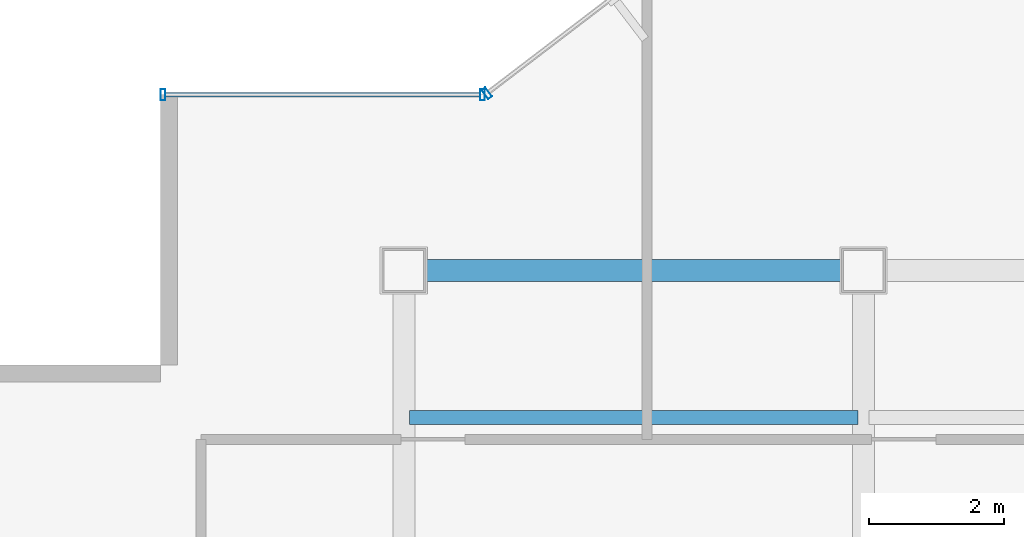
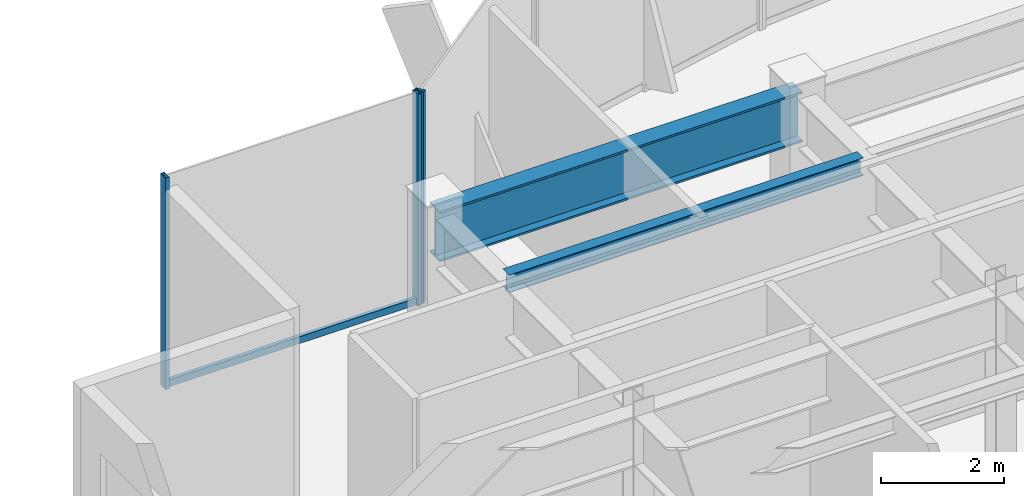
# One storey, part 9 of 26: 4 members, 2 beams, 2 elements without a shape of their own.
"""IFC4 building model written with IfcOpenShell, lengths in metres."""

from ifc_helpers import new_model, si_unit, derived_unit, direction, frame, origin, origin_2d, place, context, subcontext, project, spatial, hollow_rectangle, i_section, extrude, source, transform, mapped, material, material_profile, profile_set, type_object, element, aggregate, save


model = new_model("IFC4")

# Units and contexts
model_context = context("Model", 3, precision=1e-05, world=origin(), true_north=direction((0.0, 1.0)))
body_context = subcontext(model_context, "Body", "Model", "MODEL_VIEW")
ifc_project = project(units=[si_unit("LENGTHUNIT", "METRE"), si_unit("AREAUNIT", "SQUARE_METRE"), si_unit("VOLUMEUNIT", "CUBIC_METRE"), si_unit("PLANEANGLEUNIT", "RADIAN"), si_unit("MASSUNIT", "GRAM", prefix="KILO"), derived_unit("THERMALTRANSMITTANCEUNIT", [(si_unit("POWERUNIT", "WATT"), 1), (si_unit("LENGTHUNIT", "METRE"), -2), (si_unit("THERMODYNAMICTEMPERATUREUNIT", "KELVIN"), -1)])], contexts=[model_context])

# Site, building, storey
site_placement = place(None, origin())
site = spatial("IfcSite", under=ifc_project, at=site_placement, CompositionType="ELEMENT")
building_placement = place(site_placement, origin())
building = spatial("IfcBuilding", under=site, at=building_placement, Name="Skarnbrae Concourse Arena and Tower", CompositionType="ELEMENT")
storey_placement = place(building_placement, frame((0.0, 0.0, 184.39990234375)))
storey = spatial("IfcBuildingStorey", under=building, at=storey_placement, Name="L47", CompositionType="ELEMENT", Elevation=184.39990234375)

# Beams
ifc_material_1 = material(Name="Steel CSA G40.21 350W", Category="steel")
ifc_material_profile_1 = material_profile(ifc_material_1, i_section(OverallWidth=0.327880859375, OverallDepth=1.0, WebThickness=0.02099609375, FlangeThickness=0.03759765625, at=origin_2d()), Name="W1000X371")
ifc_profile_set_1 = profile_set([ifc_material_profile_1], Name="Steel CSA G40.21 350W")
beam_type_1 = type_object("IfcBeamType", Name="BM-XFER-W1000X371", PredefinedType="BEAM", material=ifc_profile_set_1)
shared_shape_1 = source(origin(), body_context, "Body", "SweptSolid", [
    extrude(i_section(OverallWidth=0.327880859375, OverallDepth=1.0, WebThickness=0.02099609375, FlangeThickness=0.03759765625, at=origin_2d()), origin(), (0.0, 0.0, 1.0), 6.7998046875),
])
beam_1_placement = place(storey_placement, frame((7.60009765625, 34.39990234375, 3.400146484375), z_axis=(1.0, 0.0, 0.0), x_axis=(0.0, 1.0, 0.0)))
element("IfcBeam", 1, at=beam_1_placement, inside=storey, type_object=beam_type_1, Name="L47 Perimeter spandrel Y34.4-1", PredefinedType="BEAM", context=body_context, shape_type="MappedRepresentation", body=[
    mapped(shared_shape_1, transform((0.0, 0.0, 0.0))),
])
ifc_material_profile_2 = material_profile(ifc_material_1, i_section(OverallWidth=0.205078125, OverallDepth=0.35400390625, WebThickness=0.009521484375, FlangeThickness=0.016845703125, at=origin_2d()), Name="W360X79")
ifc_profile_set_2 = profile_set([ifc_material_profile_2], Name="Steel CSA G40.21 350W")
beam_type_2 = type_object("IfcBeamType", Name="BM-JOIST-W360X79", PredefinedType="JOIST", material=ifc_profile_set_2)
shared_shape_2 = source(origin(), body_context, "Body", "SweptSolid", [
    extrude(i_section(OverallWidth=0.205078125, OverallDepth=0.35400390625, WebThickness=0.009521484375, FlangeThickness=0.016845703125, at=origin_2d()), origin(), (0.0, 0.0, 1.0), 6.64013671875),
])
beam_2_placement = place(storey_placement, frame((7.679931640625, 32.221923828125, 3.72314453125), z_axis=(1.0, 0.0, 0.0), x_axis=(0.0, 1.0, 0.0)))
element("IfcBeam", 2, at=beam_2_placement, inside=storey, type_object=beam_type_2, Name="L47 Secondary floor joist 3.2.1", PredefinedType="JOIST", context=body_context, shape_type="MappedRepresentation", body=[
    mapped(shared_shape_2, transform((0.0, 0.0, 0.0))),
])

# Curtain wall, member
ifc_material_2 = material(Name="Bronze anodised aluminium 6063-T6", Category="aluminium")
curtain_wall_type = type_object("IfcCurtainWallType", Name="CW-SYS-06-SKYLOBBY", PredefinedType="USERDEFINED", material=ifc_material_2)
curtain_wall_1_placement = place(storey_placement, origin())
curtain_wall_1 = element("IfcCurtainWall", 3, at=curtain_wall_1_placement, inside=storey, type_object=curtain_wall_type, Name="L47 Unitised curtain wall CW-L47-E14", ObjectType="UNITISED CURTAIN WALL", PredefinedType="USERDEFINED")
ifc_material_profile_3 = material_profile(ifc_material_2, hollow_rectangle(XDim=0.070068359375, YDim=0.1650390625, WallThickness=0.00390625, at=origin_2d()), Name="ALU-MULL-70X165")
ifc_profile_set_3 = profile_set([ifc_material_profile_3], Name="Bronze anodised aluminium 6063-T6")
member_type_1 = type_object("IfcMemberType", Name="CWM-CW-06", PredefinedType="MULLION", material=ifc_profile_set_3)
shared_shape_3 = source(origin(), body_context, "Body", "SweptSolid", [
    extrude(hollow_rectangle(XDim=0.070068359375, YDim=0.1650390625, WallThickness=0.00390625, at=origin_2d()), origin(), (0.0, 0.0, 1.0), 4.2001953125),
])
member_1_placement = place(storey_placement, frame((8.827880859375, 37.021240234375, 0.0), z_axis=(0.0, 0.0, 1.0), x_axis=(-0.794956000706, -0.606667089054, 0.0)))
member_1 = element("IfcMember", 4, at=member_1_placement, type_object=member_type_1, Name="CW-L47-E14 Mullion 2", PredefinedType="MULLION", context=body_context, shape_type="MappedRepresentation", body=[
    mapped(shared_shape_3, transform((0.0, 0.0, 0.0))),
])
aggregate(curtain_wall_1, [member_1])

# Curtain wall, members
curtain_wall_2_placement = place(storey_placement, origin())
curtain_wall_2 = element("IfcCurtainWall", 5, at=curtain_wall_2_placement, inside=storey, type_object=curtain_wall_type, Name="L47 Unitised curtain wall CW-L47-E15", ObjectType="UNITISED CURTAIN WALL", PredefinedType="USERDEFINED")
member_2_placement = place(storey_placement, frame((8.764892578125, 37.0, 0.0), z_axis=(0.0, 0.0, 1.0), x_axis=(-1.0, 0.0, 0.0)))
member_2 = element("IfcMember", 6, at=member_2_placement, type_object=member_type_1, Name="CW-L47-E15 Mullion 1", PredefinedType="MULLION", context=body_context, shape_type="MappedRepresentation", body=[
    mapped(shared_shape_3, transform((0.0, 0.0, 0.0))),
])
member_3_placement = place(storey_placement, frame((4.034912109375, 37.0, 0.0), z_axis=(0.0, 0.0, 1.0), x_axis=(-1.0, 0.0, 0.0)))
member_3 = element("IfcMember", 7, at=member_3_placement, type_object=member_type_1, Name="CW-L47-E15 Mullion 2", PredefinedType="MULLION", context=body_context, shape_type="MappedRepresentation", body=[
    mapped(shared_shape_3, transform((0.0, 0.0, 0.0))),
])
ifc_material_profile_4 = material_profile(ifc_material_2, hollow_rectangle(XDim=0.070068359375, YDim=0.135009765625, WallThickness=0.00390625, at=origin_2d()), Name="ALU-TRAN-70X135")
ifc_profile_set_4 = profile_set([ifc_material_profile_4], Name="Bronze anodised aluminium 6063-T6")
member_type_2 = type_object("IfcMemberType", Name="CWT-CW-06", PredefinedType="USERDEFINED", material=ifc_profile_set_4)
shared_shape_4 = source(origin(), body_context, "Body", "SweptSolid", [
    extrude(hollow_rectangle(XDim=0.070068359375, YDim=0.135009765625, WallThickness=0.00390625, at=origin_2d()), origin(), (0.0, 0.0, 1.0), 4.659912109375),
])
member_4_placement = place(storey_placement, frame((8.72998046875, 37.0, 0.067626953125), z_axis=(-1.0, 0.0, 0.0), x_axis=(0.0, -1.0, 0.0)))
member_4 = element("IfcMember", 8, at=member_4_placement, type_object=member_type_2, Name="CW-L47-E15 Transom 1", ObjectType="TRANSOM", PredefinedType="USERDEFINED", context=body_context, shape_type="MappedRepresentation", body=[
    mapped(shared_shape_4, transform((0.0, 0.0, 0.0))),
])
aggregate(curtain_wall_2, [member_2, member_3, member_4])

save(model, "model.ifc")
